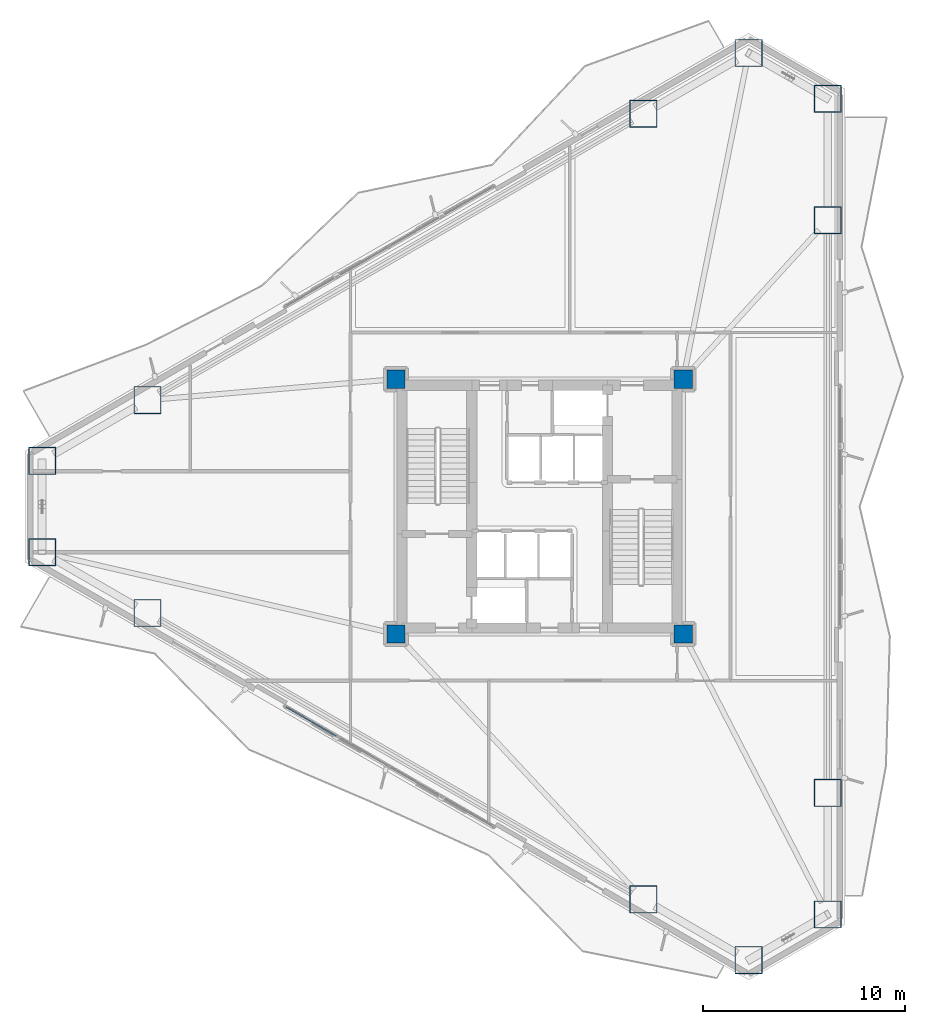
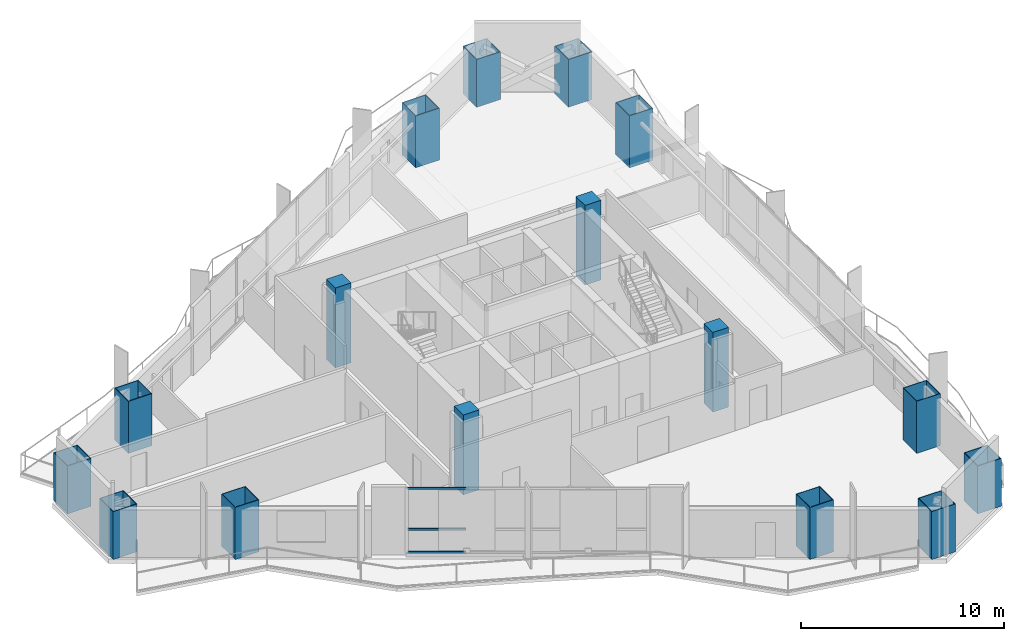
# One storey, part 1 of 16: 16 columns, 3 members, 1 element without a shape of its own.
"""IFC4 building model written with IfcOpenShell, lengths in metres."""

from ifc_helpers import new_model, si_unit, direction, frame, origin, origin_2d, place, context, subcontext, project, spatial, rectangle, hollow_rectangle, extrude, material, layer, layer_set, material_profile, profile_set, type_object, element, aggregate, save


model = new_model("IFC4")

# Units and contexts
model_context = context("Model", 3, precision=1e-05, world=origin(), true_north=direction((0.0, 1.0)))
body_context = subcontext(model_context, "Body", "Model", "MODEL_VIEW")
ifc_project = project(units=[si_unit("LENGTHUNIT", "METRE"), si_unit("AREAUNIT", "SQUARE_METRE"), si_unit("VOLUMEUNIT", "CUBIC_METRE"), si_unit("PLANEANGLEUNIT", "RADIAN"), si_unit("MASSUNIT", "GRAM", prefix="KILO")], contexts=[model_context])

# Site, building, storey
site_placement = place(None, origin())
site = spatial("IfcSite", under=ifc_project, at=site_placement, CompositionType="ELEMENT")
building_placement = place(site_placement, origin())
building = spatial("IfcBuilding", under=site, at=building_placement, Name="Mersakhor Tower and Convention Hall", CompositionType="ELEMENT")
storey_placement = place(building_placement, frame((0.0, 0.0, 62.10009765625)))
storey = spatial("IfcBuildingStorey", under=building, at=storey_placement, Name="L17", CompositionType="ELEMENT", Elevation=62.10009765625)

# Columns
ifc_material_1 = material(Name="Concrete C70/85 in S460M steel box", Category="concrete")
ifc_material_profile_1 = material_profile(ifc_material_1, hollow_rectangle(XDim=1.35009765625, YDim=1.35009765625, WallThickness=0.035888671875, at=origin_2d()), Name="SHS 1350x1350x36")
ifc_profile_set_1 = profile_set([ifc_material_profile_1], Name="Concrete C70/85 in S460M steel box")
column_type_1 = type_object("IfcColumnType", Name="COL-CFT-1350", PredefinedType="COLUMN", material=ifc_profile_set_1)
column_1_placement = place(storey_placement, frame((4.4130859375, 29.00927734375, 0.0), z_axis=(0.0, 0.0, 1.0), x_axis=(1.0, 0.0, 0.0)))
element("IfcColumn", 1, at=column_1_placement, inside=storey, type_object=column_type_1, Name="L17 Perimeter Mega-Column MC-01", PredefinedType="COLUMN", context=body_context, shape_type="SweptSolid", body=[
    extrude(hollow_rectangle(XDim=1.35009765625, YDim=1.35009765625, WallThickness=0.035888671875, at=origin_2d()), origin(), (0.0, 0.0, 1.0), 2.8798828125),
])
for number, where, z_axis, x_axis, name in (
    (2, (9.61669921875, 32.013671875, 0.0), (0.0, 0.0, 1.0), (1.0, 0.0, 0.0), "L17 Perimeter Mega-Column MC-02"),
    (3, (34.13330078125, 46.168212890625, 0.0), (0.0, 0.0, 1.0), (1.0, 0.0, 0.0), "L17 Perimeter Mega-Column MC-03"),
):
    element("IfcColumn", number, at=place(storey_placement, frame(where, z_axis=z_axis, x_axis=x_axis)), inside=storey, type_object=column_type_1, Name=name, PredefinedType="COLUMN", context=body_context, shape_type="SweptSolid", body=[
        extrude(hollow_rectangle(XDim=1.35009765625, YDim=1.35009765625, WallThickness=0.035888671875, at=origin_2d()), origin(), (0.0, 0.0, 1.0), 3.1298828125),
    ])
for number, where, z_axis, x_axis, name in (
    (4, (39.3369140625, 49.172607421875, 0.0), (0.0, 0.0, 1.0), (1.0, 0.0, 0.0), "L17 Perimeter Mega-Column MC-04"),
    (5, (43.25, 46.913330078125, 0.0), (0.0, 0.0, 1.0), (1.0, 0.0, 0.0), "L17 Perimeter Mega-Column MC-05"),
):
    element("IfcColumn", number, at=place(storey_placement, frame(where, z_axis=z_axis, x_axis=x_axis)), inside=storey, type_object=column_type_1, Name=name, PredefinedType="COLUMN", context=body_context, shape_type="SweptSolid", body=[
        extrude(hollow_rectangle(XDim=1.35009765625, YDim=1.35009765625, WallThickness=0.035888671875, at=origin_2d()), origin(), (0.0, 0.0, 1.0), 2.8798828125),
    ])
for number, where, z_axis, x_axis, name in (
    (6, (43.25, 40.904541015625, 0.0), (0.0, 0.0, 1.0), (1.0, 0.0, 0.0), "L17 Perimeter Mega-Column MC-06"),
    (7, (43.25, 12.595458984375, 0.0), (0.0, 0.0, 1.0), (1.0, 0.0, 0.0), "L17 Perimeter Mega-Column MC-07"),
):
    element("IfcColumn", number, at=place(storey_placement, frame(where, z_axis=z_axis, x_axis=x_axis)), inside=storey, type_object=column_type_1, Name=name, PredefinedType="COLUMN", context=body_context, shape_type="SweptSolid", body=[
        extrude(hollow_rectangle(XDim=1.35009765625, YDim=1.35009765625, WallThickness=0.035888671875, at=origin_2d()), origin(), (0.0, 0.0, 1.0), 3.1298828125),
    ])
for number, where, z_axis, x_axis, name in (
    (8, (43.25, 6.586669921875, 0.0), (0.0, 0.0, 1.0), (1.0, 0.0, 0.0), "L17 Perimeter Mega-Column MC-08"),
    (9, (39.3369140625, 4.327392578125, 0.0), (0.0, 0.0, 1.0), (1.0, 0.0, 0.0), "L17 Perimeter Mega-Column MC-09"),
):
    element("IfcColumn", number, at=place(storey_placement, frame(where, z_axis=z_axis, x_axis=x_axis)), inside=storey, type_object=column_type_1, Name=name, PredefinedType="COLUMN", context=body_context, shape_type="SweptSolid", body=[
        extrude(hollow_rectangle(XDim=1.35009765625, YDim=1.35009765625, WallThickness=0.035888671875, at=origin_2d()), origin(), (0.0, 0.0, 1.0), 2.8798828125),
    ])
for number, where, z_axis, x_axis, name in (
    (10, (34.13330078125, 7.331787109375, 0.0), (0.0, 0.0, 1.0), (1.0, 0.0, 0.0), "L17 Perimeter Mega-Column MC-10"),
    (11, (9.61669921875, 21.486328125, 0.0), (0.0, 0.0, 1.0), (1.0, 0.0, 0.0), "L17 Perimeter Mega-Column MC-11"),
):
    element("IfcColumn", number, at=place(storey_placement, frame(where, z_axis=z_axis, x_axis=x_axis)), inside=storey, type_object=column_type_1, Name=name, PredefinedType="COLUMN", context=body_context, shape_type="SweptSolid", body=[
        extrude(hollow_rectangle(XDim=1.35009765625, YDim=1.35009765625, WallThickness=0.035888671875, at=origin_2d()), origin(), (0.0, 0.0, 1.0), 3.1298828125),
    ])
column_2_placement = place(storey_placement, frame((4.4130859375, 24.49072265625, 0.0), z_axis=(0.0, 0.0, 1.0), x_axis=(1.0, 0.0, 0.0)))
element("IfcColumn", 12, at=column_2_placement, inside=storey, type_object=column_type_1, Name="L17 Perimeter Mega-Column MC-12", PredefinedType="COLUMN", context=body_context, shape_type="SweptSolid", body=[
    extrude(hollow_rectangle(XDim=1.35009765625, YDim=1.35009765625, WallThickness=0.035888671875, at=origin_2d()), origin(), (0.0, 0.0, 1.0), 2.8798828125),
])
ifc_material_2 = material(Name="Concrete C60/75", Category="concrete")
ifc_material_profile_2 = material_profile(ifc_material_2, rectangle(XDim=0.89990234375, YDim=0.89990234375, at=origin_2d()), Name="RC 900x900")
ifc_profile_set_2 = profile_set([ifc_material_profile_2], Name="Concrete C60/75")
column_type_2 = type_object("IfcColumnType", Name="COL-RC-900", PredefinedType="COLUMN", material=ifc_profile_set_2)
for number, where, z_axis, x_axis, name in (
    (13, (21.89990234375, 20.449951171875, 0.0), (0.0, 0.0, 1.0), (1.0, 0.0, 0.0), "L17 Core Corner Column CC-1"),
    (14, (21.89990234375, 33.050048828125, 0.0), (0.0, 0.0, 1.0), (1.0, 0.0, 0.0), "L17 Core Corner Column CC-2"),
    (15, (36.10009765625, 33.050048828125, 0.0), (0.0, 0.0, 1.0), (1.0, 0.0, 0.0), "L17 Core Corner Column CC-3"),
    (16, (36.10009765625, 20.449951171875, 0.0), (0.0, 0.0, 1.0), (1.0, 0.0, 0.0), "L17 Core Corner Column CC-4"),
):
    element("IfcColumn", number, at=place(storey_placement, frame(where, z_axis=z_axis, x_axis=x_axis)), inside=storey, type_object=column_type_2, Name=name, PredefinedType="COLUMN", context=body_context, shape_type="SweptSolid", body=[
        extrude(rectangle(XDim=0.89990234375, YDim=0.89990234375, at=origin_2d()), origin(), (0.0, 0.0, 1.0), 4.7998046875),
    ])

# Curtain wall, members
ifc_material_3 = material(Name="Dark solar low-E aluminium curtain wall", Category="aluminium")
ifc_layer = layer(ifc_material_3, 0.199951171875)
ifc_layer_set = layer_set([ifc_layer], Name="Dark solar low-E aluminium curtain wall")
curtain_wall_type = type_object("IfcCurtainWallType", Name="CW-SYS-05", PredefinedType="USERDEFINED", material=ifc_layer_set)
curtain_wall_placement = place(storey_placement, origin())
curtain_wall = element("IfcCurtainWall", 17, at=curtain_wall_placement, inside=storey, type_object=curtain_wall_type, Name="L17 Dark-Glass Curtain Wall F3-B2", ObjectType="CURTAIN WALL", PredefinedType="USERDEFINED")
ifc_material_4 = material(Name="Anodised aluminium EN AW-6063 T6", Category="aluminium")
ifc_material_profile_3 = material_profile(ifc_material_4, hollow_rectangle(XDim=0.06005859375, YDim=0.1201171875, WallThickness=0.0048828125, at=origin_2d()), Name="RHS 120x60x5")
ifc_profile_set_3 = profile_set([ifc_material_profile_3], Name="Anodised aluminium EN AW-6063 T6")
member_type = type_object("IfcMemberType", Name="CWT-120x60", PredefinedType="USERDEFINED", material=ifc_profile_set_3)
member_1_placement = place(storey_placement, frame((18.947998046875, 15.40625, 0.22998046875), z_axis=(-0.866038426532, 0.499977443261, 0.0), x_axis=(-0.499977443261, -0.866038426532, 0.0)))
member_1 = element("IfcMember", 18, at=member_1_placement, type_object=member_type, Name="CW-05 transom 4.1", ObjectType="TRANSOM", PredefinedType="USERDEFINED", context=body_context, shape_type="SweptSolid", body=[
    extrude(hollow_rectangle(XDim=0.06005859375, YDim=0.1201171875, WallThickness=0.0048828125, at=origin_2d()), origin(), (0.0, 0.0, 1.0), 2.873291015625),
])
member_2_placement = place(storey_placement, frame((18.947998046875, 15.40625, 1.619873046875), z_axis=(-0.866038426532, 0.499977443261, 0.0), x_axis=(-0.499977443261, -0.866038426532, 0.0)))
member_2 = element("IfcMember", 19, at=member_2_placement, type_object=member_type, Name="CW-05 transom 4.2", ObjectType="TRANSOM", PredefinedType="USERDEFINED", context=body_context, shape_type="SweptSolid", body=[
    extrude(hollow_rectangle(XDim=0.06005859375, YDim=0.1201171875, WallThickness=0.0048828125, at=origin_2d()), origin(), (0.0, 0.0, 1.0), 2.873291015625),
])
member_3_placement = place(storey_placement, frame((18.947998046875, 15.40625, 4.06982421875), z_axis=(-0.866038426532, 0.499977443261, 0.0), x_axis=(-0.499977443261, -0.866038426532, 0.0)))
member_3 = element("IfcMember", 20, at=member_3_placement, type_object=member_type, Name="CW-05 transom 4.3", ObjectType="TRANSOM", PredefinedType="USERDEFINED", context=body_context, shape_type="SweptSolid", body=[
    extrude(hollow_rectangle(XDim=0.06005859375, YDim=0.1201171875, WallThickness=0.0048828125, at=origin_2d()), origin(), (0.0, 0.0, 1.0), 2.873291015625),
])
aggregate(curtain_wall, [member_1, member_2, member_3])

save(model, "model.ifc")
